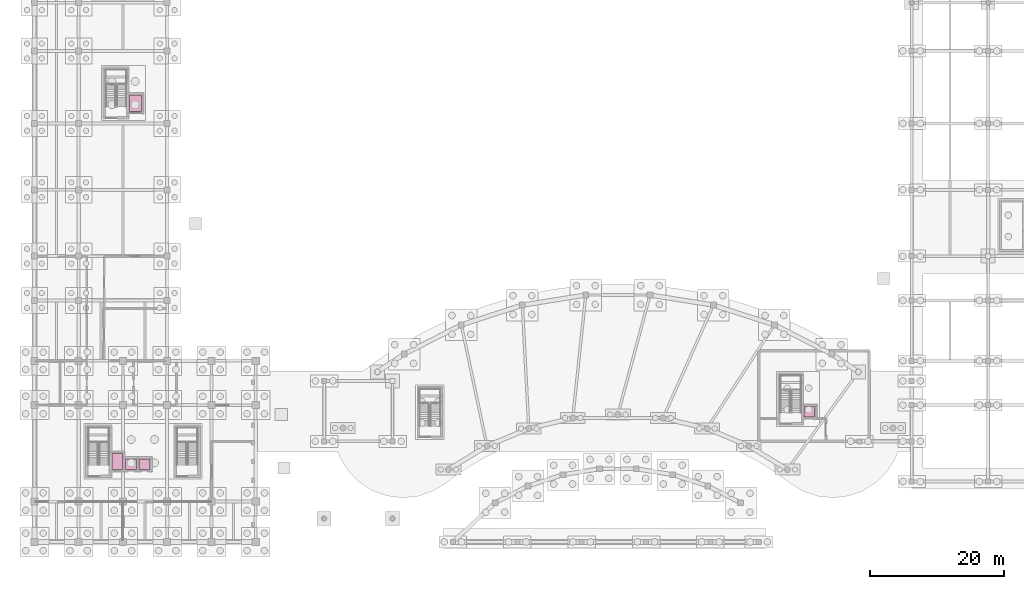
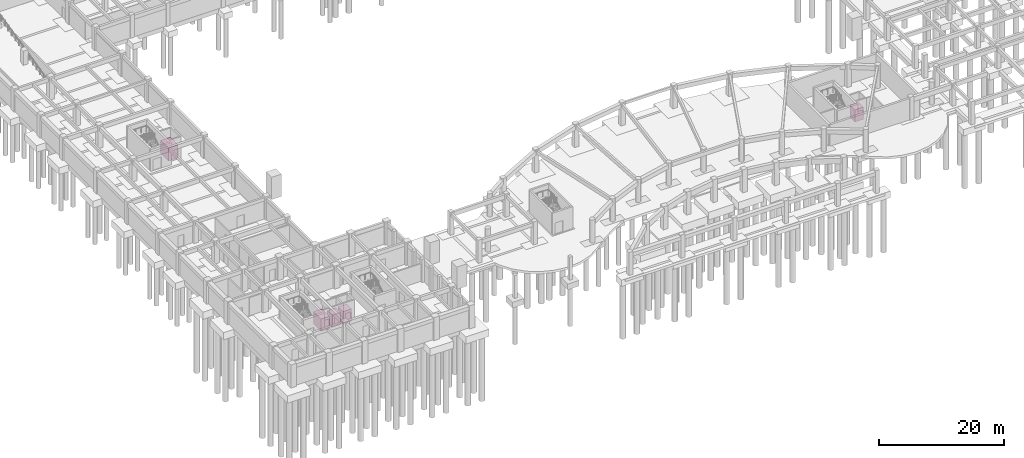
# One storey, part 28 of 28: 5 transport elements.
"""IFC4 building model written with IfcOpenShell, lengths in metres."""

from ifc_helpers import new_model, si_unit, direction, frame, origin, origin_2d, place, context, subcontext, project, spatial, rectangle, extrude, material, type_object, element, save


model = new_model("IFC4")

# Units and contexts
model_context = context("Model", 3, precision=1e-05, world=origin(), true_north=direction((0.0, 1.0)))
body_context = subcontext(model_context, "Body", "Model", "MODEL_VIEW")
ifc_project = project(units=[si_unit("LENGTHUNIT", "METRE"), si_unit("AREAUNIT", "SQUARE_METRE"), si_unit("VOLUMEUNIT", "CUBIC_METRE"), si_unit("PLANEANGLEUNIT", "RADIAN"), si_unit("MASSUNIT", "GRAM", prefix="KILO")], contexts=[model_context])

# Site, building, storey
site_placement = place(None, origin())
site = spatial("IfcSite", under=ifc_project, at=site_placement, CompositionType="ELEMENT")
building_placement = place(site_placement, origin())
building = spatial("IfcBuilding", under=site, at=building_placement, Name="Miralva Faculty of Natural Sciences", CompositionType="ELEMENT")
storey_placement = place(building_placement, frame((0.0, 0.0, -4.5)))
storey = spatial("IfcBuildingStorey", under=building, at=storey_placement, Name="B1", CompositionType="ELEMENT", Elevation=-4.5)

# Transport elements
ifc_material = material(Name="Stainless steel", Category="steel")
transport_element_type_1 = type_object("IfcTransportElementType", Name="LFT-GDS01", PredefinedType="ELEVATOR", material=ifc_material)
transport_element_1_placement = place(storey_placement, frame((18.050048828125, 68.39990234375, 0.0), z_axis=(0.0, 0.0, 1.0), x_axis=(1.0, 0.0, 0.0)))
element("IfcTransportElement", 1, at=transport_element_1_placement, inside=storey, type_object=transport_element_type_1, Name="Elevator L-04", PredefinedType="ELEVATOR", context=body_context, shape_type="SweptSolid", body=[
    extrude(rectangle(XDim=1.800048828125, YDim=2.5, at=origin_2d()), origin(), (0.0, 0.0, 1.0), 2.550048828125),
])
transport_element_type_2 = type_object("IfcTransportElementType", Name="LFT-PAS01", PredefinedType="ELEVATOR", material=ifc_material)
for number, where, z_axis, x_axis, name in (
    (2, (17.389892578125, 14.60009765625, 0.0), (0.0, 0.0, 1.0), (1.0, 0.0, 0.0), "Firefighting Lift L-02"),
    (3, (19.429931640625, 14.60009765625, 0.0), (0.0, 0.0, 1.0), (1.0, 0.0, 0.0), "Elevator L-03"),
    (4, (118.550048828125, 22.39990234375, 0.0), (0.0, 0.0, 1.0), (1.0, 0.0, 0.0), "Elevator L-05"),
):
    element("IfcTransportElement", number, at=place(storey_placement, frame(where, z_axis=z_axis, x_axis=x_axis)), inside=storey, type_object=transport_element_type_2, Name=name, PredefinedType="ELEVATOR", context=body_context, shape_type="SweptSolid", body=[
        extrude(rectangle(XDim=1.60009765625, YDim=1.550048828125, at=origin_2d()), origin(), (0.0, 0.0, 1.0), 2.39990234375),
    ])
transport_element_type_3 = type_object("IfcTransportElementType", Name="LFT-STR01", PredefinedType="ELEVATOR", material=ifc_material)
transport_element_2_placement = place(storey_placement, frame((15.35009765625, 15.0, 0.0), z_axis=(0.0, 0.0, 1.0), x_axis=(1.0, 0.0, 0.0)))
element("IfcTransportElement", 5, at=transport_element_2_placement, inside=storey, type_object=transport_element_type_3, Name="Firefighting Lift L-01", PredefinedType="ELEVATOR", context=body_context, shape_type="SweptSolid", body=[
    extrude(rectangle(XDim=1.60009765625, YDim=2.39990234375, at=origin_2d()), origin(), (0.0, 0.0, 1.0), 2.39990234375),
])

save(model, "model.ifc")
